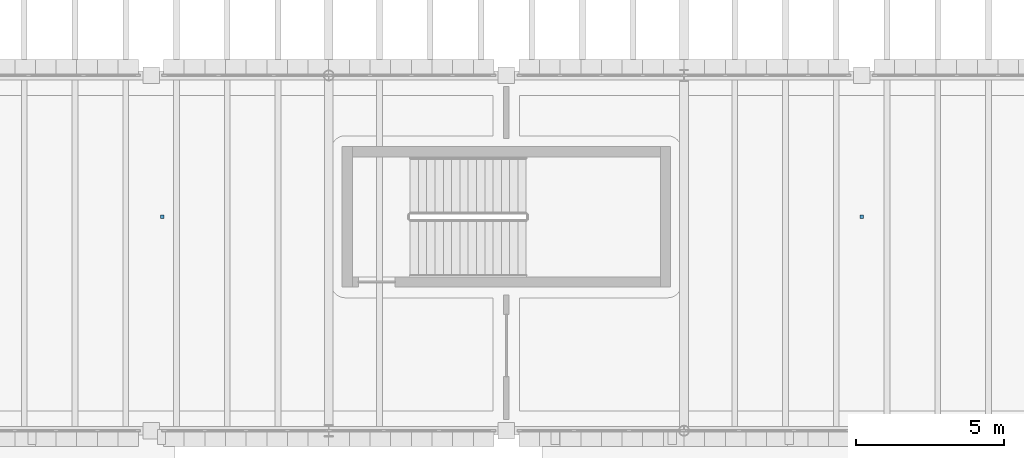
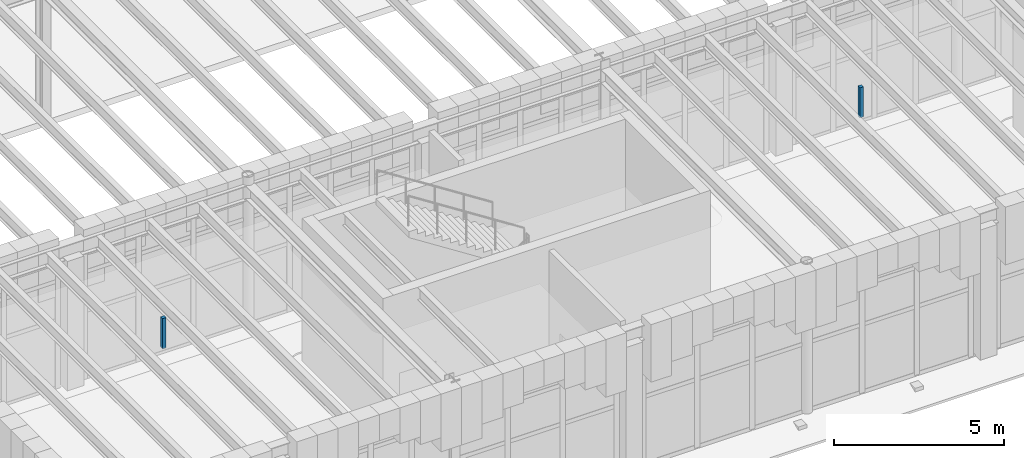
# One storey, part 66 of 100: 2 discrete accessories.
"""IFC4 building model written with IfcOpenShell, lengths in metres."""

from ifc_helpers import new_model, si_unit, direction, frame, origin, origin_2d, place, context, subcontext, project, spatial, rectangle, extrude, material, type_object, element, save


model = new_model("IFC4")

# Units and contexts
model_context = context("Model", 3, precision=1e-05, world=origin(), true_north=direction((0.0, 1.0)))
body_context = subcontext(model_context, "Body", "Model", "MODEL_VIEW")
ifc_project = project(units=[si_unit("LENGTHUNIT", "METRE"), si_unit("AREAUNIT", "SQUARE_METRE"), si_unit("VOLUMEUNIT", "CUBIC_METRE"), si_unit("PLANEANGLEUNIT", "RADIAN"), si_unit("MASSUNIT", "GRAM", prefix="KILO")], contexts=[model_context])

# Site, building, storey
site_placement = place(None, origin())
site = spatial("IfcSite", under=ifc_project, at=site_placement, CompositionType="ELEMENT")
building_placement = place(site_placement, origin())
building = spatial("IfcBuilding", under=site, at=building_placement, Name="Zlatogorsky Bluff Art Gallery", CompositionType="ELEMENT")
storey_placement = place(building_placement, frame((0.0, 0.0, 5.39990234375)))
storey = spatial("IfcBuildingStorey", under=building, at=storey_placement, Name="L01", CompositionType="ELEMENT", Elevation=5.39990234375)

# Discrete accessories
ifc_material = material(Name="Steel S355", Category="steel")
discrete_accessory_type = type_object("IfcDiscreteAccessoryType", Name="Stainless Facade Fin Bracket BRK-01", PredefinedType="BRACKET", material=ifc_material)
for number, where, z_axis, x_axis, name in (
    (1, (66.3798828125, 91.22509765625, 4.05517578125), (0.0, 0.0, 1.0), (1.0, 0.0, 0.0), "Acoustic ceiling suspension hanger L01-G2-11"),
    (2, (90.0, 91.22509765625, 4.05517578125), (0.0, 0.0, 1.0), (1.0, 0.0, 0.0), "Acoustic ceiling suspension hanger L01-G2-12"),
):
    element("IfcDiscreteAccessory", number, at=place(storey_placement, frame(where, z_axis=z_axis, x_axis=x_axis)), inside=storey, type_object=discrete_accessory_type, Name=name, PredefinedType="BRACKET", context=body_context, shape_type="SweptSolid", body=[
        extrude(rectangle(XDim=0.1201171875, YDim=0.1201171875, at=origin_2d()), origin(), (0.0, 0.0, 1.0), 1.080078125),
    ])

save(model, "model.ifc")
